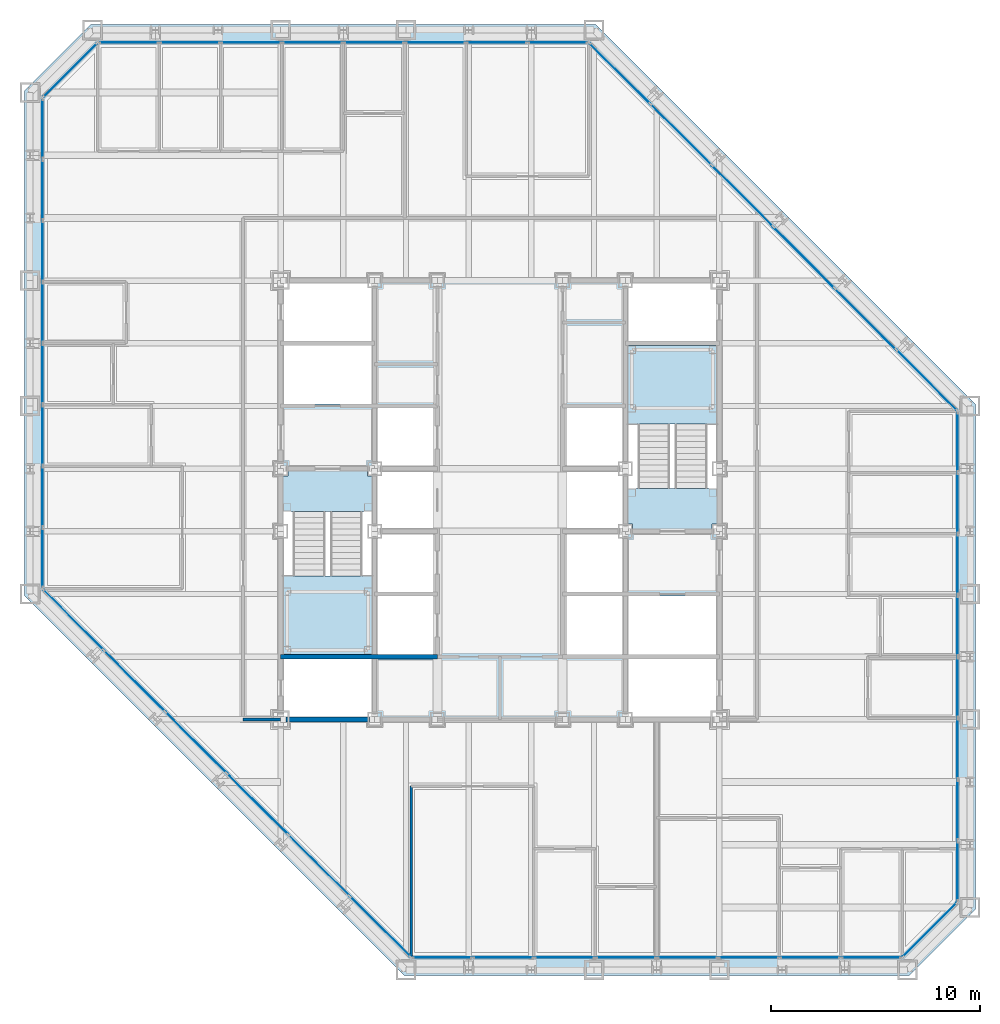
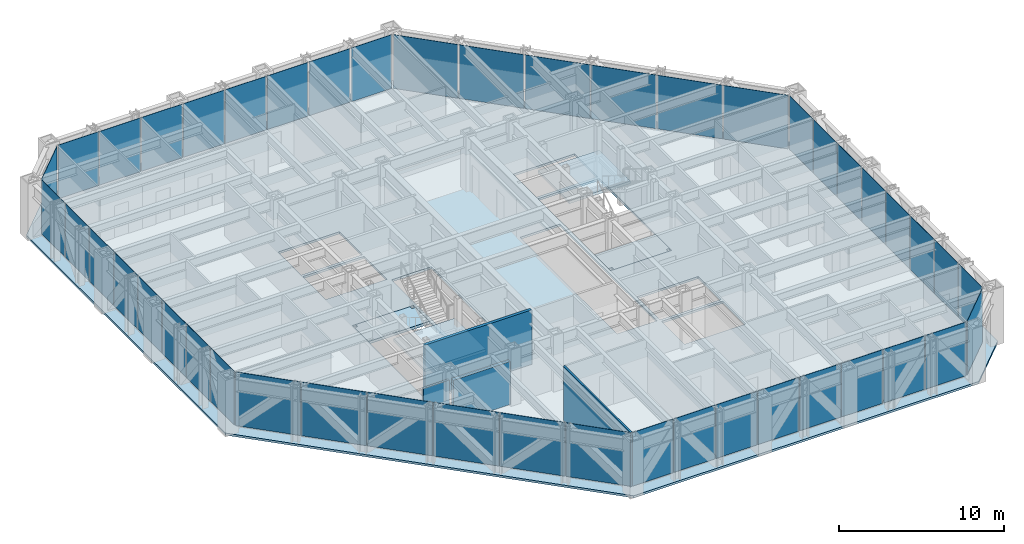
# One storey, part 9 of 16: 46 plates, 5 slabs, 4 walls, 10 elements without a shape of their own.
"""IFC4 building model written with IfcOpenShell, lengths in metres."""

from ifc_helpers import new_model, si_unit, direction, frame, frame_2d, origin, origin_2d, place, context, subcontext, project, spatial, polyline, rectangle, outline, extrude, material, layer, layer_set, type_object, element, aggregate, save


model = new_model("IFC4")

# Units and contexts
model_context = context("Model", 3, precision=1e-05, world=origin(), true_north=direction((0.0, 1.0)))
body_context = subcontext(model_context, "Body", "Model", "MODEL_VIEW")
ifc_project = project(units=[si_unit("LENGTHUNIT", "METRE"), si_unit("AREAUNIT", "SQUARE_METRE"), si_unit("VOLUMEUNIT", "CUBIC_METRE"), si_unit("PLANEANGLEUNIT", "RADIAN"), si_unit("MASSUNIT", "GRAM", prefix="KILO")], contexts=[model_context])

# Site, building, storey
site_placement = place(None, origin())
site = spatial("IfcSite", under=ifc_project, at=site_placement, CompositionType="ELEMENT")
building_placement = place(site_placement, origin())
building = spatial("IfcBuilding", under=site, at=building_placement, Name="Chuquiago Exchange Tower", CompositionType="ELEMENT")
storey_placement = place(building_placement, frame((0.0, 0.0, 123.60009765625)))
storey = spatial("IfcBuildingStorey", under=building, at=storey_placement, Name="L26", CompositionType="ELEMENT", Elevation=123.60009765625)

# Curtain wall, plates
ifc_material_1 = material(Name="Aluminium curtain wall system", Category="aluminium")
ifc_layer_1 = layer(ifc_material_1, 0.22509765625)
ifc_layer_set_1 = layer_set([ifc_layer_1], Name="CW2 office curtain wall")
curtain_wall_type_1 = type_object("IfcCurtainWallType", Name="CW2 office curtain wall", PredefinedType="NOTDEFINED", material=ifc_layer_set_1)
curtain_wall_1_placement = place(storey_placement, origin())
curtain_wall_1 = element("IfcCurtainWall", 1, at=curtain_wall_1_placement, inside=storey, type_object=curtain_wall_type_1, Name="CW2 curtain wall L26", PredefinedType="NOTDEFINED")
ifc_material_2 = material(Name="Glass, insulating unit", Category="glass")
ifc_layer_2 = layer(ifc_material_2, 0.030029296875)
ifc_layer_set_2 = layer_set([ifc_layer_2], Name="CW2-P panel 30")
plate_type_1 = type_object("IfcPlateType", Name="CW2-P panel 30", PredefinedType="CURTAIN_PANEL", material=ifc_layer_set_2)
plate_1_placement = place(storey_placement, frame((25.59326171875, 0.60009765625, 0.06494140625), z_axis=(0.0, 0.0, 1.0), x_axis=(1.0, 0.0, 0.0)))
plate_1 = element("IfcPlate", 2, at=plate_1_placement, type_object=plate_type_1, Name="CW2 panel 3.1", PredefinedType="CURTAIN_PANEL", context=body_context, shape_type="SweptSolid", body=[
    extrude(rectangle(XDim=2.872802734375, YDim=0.030029296875, at=origin_2d()), origin(), (0.0, 0.0, 1.0), 3.97509765625),
])
plate_2_placement = place(storey_placement, frame((34.40673828125, 0.60009765625, 0.06494140625), z_axis=(0.0, 0.0, 1.0), x_axis=(1.0, 0.0, 0.0)))
plate_2 = element("IfcPlate", 3, at=plate_2_placement, type_object=plate_type_1, Name="CW2 panel 6.1", PredefinedType="CURTAIN_PANEL", context=body_context, shape_type="SweptSolid", body=[
    extrude(rectangle(XDim=2.872802734375, YDim=0.030029296875, at=origin_2d()), origin(), (0.0, 0.0, 1.0), 3.97509765625),
])

curtain_wall_2_placement = place(storey_placement, origin())
curtain_wall_2 = element("IfcCurtainWall", 4, at=curtain_wall_2_placement, inside=storey, type_object=curtain_wall_type_1, Name="CW2 curtain wall L26", PredefinedType="NOTDEFINED")
plate_3_placement = place(storey_placement, frame((44.39990234375, 10.59326171875, 0.06494140625), z_axis=(0.0, 0.0, 1.0), x_axis=(0.0, 1.0, 0.0)))
plate_3 = element("IfcPlate", 5, at=plate_3_placement, type_object=plate_type_1, Name="CW2 panel 3.1", PredefinedType="CURTAIN_PANEL", context=body_context, shape_type="SweptSolid", body=[
    extrude(rectangle(XDim=2.872802734375, YDim=0.030029296875, at=origin_2d()), origin(), (0.0, 0.0, 1.0), 3.97509765625),
])
plate_4_placement = place(storey_placement, frame((44.39990234375, 19.40673828125, 0.06494140625), z_axis=(0.0, 0.0, 1.0), x_axis=(0.0, 1.0, 0.0)))
plate_4 = element("IfcPlate", 6, at=plate_4_placement, type_object=plate_type_1, Name="CW2 panel 6.1", PredefinedType="CURTAIN_PANEL", context=body_context, shape_type="SweptSolid", body=[
    extrude(rectangle(XDim=2.872802734375, YDim=0.030029296875, at=origin_2d()), origin(), (0.0, 0.0, 1.0), 3.97509765625),
])

curtain_wall_3_placement = place(storey_placement, origin())
curtain_wall_3 = element("IfcCurtainWall", 7, at=curtain_wall_3_placement, inside=storey, type_object=curtain_wall_type_1, Name="CW2 curtain wall L26", PredefinedType="NOTDEFINED")
plate_5_placement = place(storey_placement, frame((19.40673828125, 44.39990234375, 0.06494140625), z_axis=(0.0, 0.0, 1.0), x_axis=(-1.0, 0.0, 0.0)))
plate_5 = element("IfcPlate", 8, at=plate_5_placement, type_object=plate_type_1, Name="CW2 panel 3.1", PredefinedType="CURTAIN_PANEL", context=body_context, shape_type="SweptSolid", body=[
    extrude(rectangle(XDim=2.872802734375, YDim=0.030029296875, at=origin_2d()), origin(), (0.0, 0.0, 1.0), 3.97509765625),
])
plate_6_placement = place(storey_placement, frame((10.59326171875, 44.39990234375, 0.06494140625), z_axis=(0.0, 0.0, 1.0), x_axis=(-1.0, 0.0, 0.0)))
plate_6 = element("IfcPlate", 9, at=plate_6_placement, type_object=plate_type_1, Name="CW2 panel 6.1", PredefinedType="CURTAIN_PANEL", context=body_context, shape_type="SweptSolid", body=[
    extrude(rectangle(XDim=2.872802734375, YDim=0.030029296875, at=origin_2d()), origin(), (0.0, 0.0, 1.0), 3.97509765625),
])

curtain_wall_4_placement = place(storey_placement, origin())
curtain_wall_4 = element("IfcCurtainWall", 10, at=curtain_wall_4_placement, inside=storey, type_object=curtain_wall_type_1, Name="CW2 curtain wall L26", PredefinedType="NOTDEFINED")
plate_7_placement = place(storey_placement, frame((0.60009765625, 34.40673828125, 0.06494140625), z_axis=(0.0, 0.0, 1.0), x_axis=(0.0, -1.0, 0.0)))
plate_7 = element("IfcPlate", 11, at=plate_7_placement, type_object=plate_type_1, Name="CW2 panel 3.1", PredefinedType="CURTAIN_PANEL", context=body_context, shape_type="SweptSolid", body=[
    extrude(rectangle(XDim=2.872802734375, YDim=0.030029296875, at=origin_2d()), origin(), (0.0, 0.0, 1.0), 3.97509765625),
])
plate_8_placement = place(storey_placement, frame((0.60009765625, 25.59326171875, 0.06494140625), z_axis=(0.0, 0.0, 1.0), x_axis=(0.0, -1.0, 0.0)))
plate_8 = element("IfcPlate", 12, at=plate_8_placement, type_object=plate_type_1, Name="CW2 panel 6.1", PredefinedType="CURTAIN_PANEL", context=body_context, shape_type="SweptSolid", body=[
    extrude(rectangle(XDim=2.872802734375, YDim=0.030029296875, at=origin_2d()), origin(), (0.0, 0.0, 1.0), 3.97509765625),
])

# Plate
ifc_material_3 = material(Name="Insulated spandrel panel, pale anodised aluminium", Category="aluminium")
ifc_layer_3 = layer(ifc_material_3, 0.030029296875)
ifc_layer_set_3 = layer_set([ifc_layer_3], Name="CW2-P spandrel panel 30")
plate_type_2 = type_object("IfcPlateType", Name="CW2-P spandrel panel 30", PredefinedType="CURTAIN_PANEL", material=ifc_layer_set_3)
plate_9_placement = place(storey_placement, frame((19.733642578125, 0.60009765625, 0.06494140625), z_axis=(0.0, 0.0, 1.0), x_axis=(1.0, 0.0, 0.0)))
plate_9 = element("IfcPlate", 13, at=plate_9_placement, type_object=plate_type_2, Name="CW2 panel 1.1", PredefinedType="CURTAIN_PANEL", context=body_context, shape_type="SweptSolid", body=[
    extrude(rectangle(XDim=2.84033203125, YDim=0.030029296875, at=origin_2d()), origin(), (0.0, 0.0, 1.0), 3.97509765625),
])

plate_10_placement = place(storey_placement, frame((22.6552734375, 0.60009765625, 0.06494140625), z_axis=(0.0, 0.0, 1.0), x_axis=(1.0, 0.0, 0.0)))
plate_10 = element("IfcPlate", 14, at=plate_10_placement, type_object=plate_type_2, Name="CW2 panel 2.1", PredefinedType="CURTAIN_PANEL", context=body_context, shape_type="SweptSolid", body=[
    extrude(rectangle(XDim=2.872802734375, YDim=0.030029296875, at=origin_2d()), origin(), (0.0, 0.0, 1.0), 3.97509765625),
])

plate_11_placement = place(storey_placement, frame((28.531005859375, 0.60009765625, 0.06494140625), z_axis=(0.0, 0.0, 1.0), x_axis=(1.0, 0.0, 0.0)))
plate_11 = element("IfcPlate", 15, at=plate_11_placement, type_object=plate_type_2, Name="CW2 panel 4.1", PredefinedType="CURTAIN_PANEL", context=body_context, shape_type="SweptSolid", body=[
    extrude(rectangle(XDim=2.872802734375, YDim=0.030029296875, at=origin_2d()), origin(), (0.0, 0.0, 1.0), 3.97509765625),
])

plate_12_placement = place(storey_placement, frame((31.468994140625, 0.60009765625, 0.06494140625), z_axis=(0.0, 0.0, 1.0), x_axis=(1.0, 0.0, 0.0)))
plate_12 = element("IfcPlate", 16, at=plate_12_placement, type_object=plate_type_2, Name="CW2 panel 5.1", PredefinedType="CURTAIN_PANEL", context=body_context, shape_type="SweptSolid", body=[
    extrude(rectangle(XDim=2.872802734375, YDim=0.030029296875, at=origin_2d()), origin(), (0.0, 0.0, 1.0), 3.97509765625),
])

plate_13_placement = place(storey_placement, frame((37.3447265625, 0.60009765625, 0.06494140625), z_axis=(0.0, 0.0, 1.0), x_axis=(1.0, 0.0, 0.0)))
plate_13 = element("IfcPlate", 17, at=plate_13_placement, type_object=plate_type_2, Name="CW2 panel 7.1", PredefinedType="CURTAIN_PANEL", context=body_context, shape_type="SweptSolid", body=[
    extrude(rectangle(XDim=2.872802734375, YDim=0.030029296875, at=origin_2d()), origin(), (0.0, 0.0, 1.0), 3.97509765625),
])

plate_14_placement = place(storey_placement, frame((40.266357421875, 0.60009765625, 0.06494140625), z_axis=(0.0, 0.0, 1.0), x_axis=(1.0, 0.0, 0.0)))
plate_14 = element("IfcPlate", 18, at=plate_14_placement, type_object=plate_type_2, Name="CW2 panel 8.1", PredefinedType="CURTAIN_PANEL", context=body_context, shape_type="SweptSolid", body=[
    extrude(rectangle(XDim=2.84033203125, YDim=0.030029296875, at=origin_2d()), origin(), (0.0, 0.0, 1.0), 3.97509765625),
])

aggregate(curtain_wall_1, [plate_9, plate_10, plate_1, plate_11, plate_12, plate_2, plate_13, plate_14])

plate_15_placement = place(storey_placement, frame((44.39990234375, 4.733642578125, 0.06494140625), z_axis=(0.0, 0.0, 1.0), x_axis=(0.0, 1.0, 0.0)))
plate_15 = element("IfcPlate", 19, at=plate_15_placement, type_object=plate_type_2, Name="CW2 panel 1.1", PredefinedType="CURTAIN_PANEL", context=body_context, shape_type="SweptSolid", body=[
    extrude(rectangle(XDim=2.84033203125, YDim=0.030029296875, at=origin_2d()), origin(), (0.0, 0.0, 1.0), 3.97509765625),
])

plate_16_placement = place(storey_placement, frame((44.39990234375, 7.6552734375, 0.06494140625), z_axis=(0.0, 0.0, 1.0), x_axis=(0.0, 1.0, 0.0)))
plate_16 = element("IfcPlate", 20, at=plate_16_placement, type_object=plate_type_2, Name="CW2 panel 2.1", PredefinedType="CURTAIN_PANEL", context=body_context, shape_type="SweptSolid", body=[
    extrude(rectangle(XDim=2.872802734375, YDim=0.030029296875, at=origin_2d()), origin(), (0.0, 0.0, 1.0), 3.97509765625),
])

plate_17_placement = place(storey_placement, frame((44.39990234375, 13.531005859375, 0.06494140625), z_axis=(0.0, 0.0, 1.0), x_axis=(0.0, 1.0, 0.0)))
plate_17 = element("IfcPlate", 21, at=plate_17_placement, type_object=plate_type_2, Name="CW2 panel 4.1", PredefinedType="CURTAIN_PANEL", context=body_context, shape_type="SweptSolid", body=[
    extrude(rectangle(XDim=2.872802734375, YDim=0.030029296875, at=origin_2d()), origin(), (0.0, 0.0, 1.0), 3.97509765625),
])

plate_18_placement = place(storey_placement, frame((44.39990234375, 16.468994140625, 0.06494140625), z_axis=(0.0, 0.0, 1.0), x_axis=(0.0, 1.0, 0.0)))
plate_18 = element("IfcPlate", 22, at=plate_18_placement, type_object=plate_type_2, Name="CW2 panel 5.1", PredefinedType="CURTAIN_PANEL", context=body_context, shape_type="SweptSolid", body=[
    extrude(rectangle(XDim=2.872802734375, YDim=0.030029296875, at=origin_2d()), origin(), (0.0, 0.0, 1.0), 3.97509765625),
])

plate_19_placement = place(storey_placement, frame((44.39990234375, 22.3447265625, 0.06494140625), z_axis=(0.0, 0.0, 1.0), x_axis=(0.0, 1.0, 0.0)))
plate_19 = element("IfcPlate", 23, at=plate_19_placement, type_object=plate_type_2, Name="CW2 panel 7.1", PredefinedType="CURTAIN_PANEL", context=body_context, shape_type="SweptSolid", body=[
    extrude(rectangle(XDim=2.872802734375, YDim=0.030029296875, at=origin_2d()), origin(), (0.0, 0.0, 1.0), 3.97509765625),
])

plate_20_placement = place(storey_placement, frame((44.39990234375, 25.266357421875, 0.06494140625), z_axis=(0.0, 0.0, 1.0), x_axis=(0.0, 1.0, 0.0)))
plate_20 = element("IfcPlate", 24, at=plate_20_placement, type_object=plate_type_2, Name="CW2 panel 8.1", PredefinedType="CURTAIN_PANEL", context=body_context, shape_type="SweptSolid", body=[
    extrude(rectangle(XDim=2.84033203125, YDim=0.030029296875, at=origin_2d()), origin(), (0.0, 0.0, 1.0), 3.97509765625),
])

aggregate(curtain_wall_2, [plate_15, plate_16, plate_3, plate_17, plate_18, plate_4, plate_19, plate_20])

plate_21_placement = place(storey_placement, frame((25.266357421875, 44.39990234375, 0.06494140625), z_axis=(0.0, 0.0, 1.0), x_axis=(-1.0, 0.0, 0.0)))
plate_21 = element("IfcPlate", 25, at=plate_21_placement, type_object=plate_type_2, Name="CW2 panel 1.1", PredefinedType="CURTAIN_PANEL", context=body_context, shape_type="SweptSolid", body=[
    extrude(rectangle(XDim=2.84033203125, YDim=0.030029296875, at=origin_2d()), origin(), (0.0, 0.0, 1.0), 3.97509765625),
])

plate_22_placement = place(storey_placement, frame((22.3447265625, 44.39990234375, 0.06494140625), z_axis=(0.0, 0.0, 1.0), x_axis=(-1.0, 0.0, 0.0)))
plate_22 = element("IfcPlate", 26, at=plate_22_placement, type_object=plate_type_2, Name="CW2 panel 2.1", PredefinedType="CURTAIN_PANEL", context=body_context, shape_type="SweptSolid", body=[
    extrude(rectangle(XDim=2.872802734375, YDim=0.030029296875, at=origin_2d()), origin(), (0.0, 0.0, 1.0), 3.97509765625),
])

plate_23_placement = place(storey_placement, frame((16.468994140625, 44.39990234375, 0.06494140625), z_axis=(0.0, 0.0, 1.0), x_axis=(-1.0, 0.0, 0.0)))
plate_23 = element("IfcPlate", 27, at=plate_23_placement, type_object=plate_type_2, Name="CW2 panel 4.1", PredefinedType="CURTAIN_PANEL", context=body_context, shape_type="SweptSolid", body=[
    extrude(rectangle(XDim=2.872802734375, YDim=0.030029296875, at=origin_2d()), origin(), (0.0, 0.0, 1.0), 3.97509765625),
])

plate_24_placement = place(storey_placement, frame((13.531005859375, 44.39990234375, 0.06494140625), z_axis=(0.0, 0.0, 1.0), x_axis=(-1.0, 0.0, 0.0)))
plate_24 = element("IfcPlate", 28, at=plate_24_placement, type_object=plate_type_2, Name="CW2 panel 5.1", PredefinedType="CURTAIN_PANEL", context=body_context, shape_type="SweptSolid", body=[
    extrude(rectangle(XDim=2.872802734375, YDim=0.030029296875, at=origin_2d()), origin(), (0.0, 0.0, 1.0), 3.97509765625),
])

plate_25_placement = place(storey_placement, frame((7.6552734375, 44.39990234375, 0.06494140625), z_axis=(0.0, 0.0, 1.0), x_axis=(-1.0, 0.0, 0.0)))
plate_25 = element("IfcPlate", 29, at=plate_25_placement, type_object=plate_type_2, Name="CW2 panel 7.1", PredefinedType="CURTAIN_PANEL", context=body_context, shape_type="SweptSolid", body=[
    extrude(rectangle(XDim=2.872802734375, YDim=0.030029296875, at=origin_2d()), origin(), (0.0, 0.0, 1.0), 3.97509765625),
])

plate_26_placement = place(storey_placement, frame((4.733642578125, 44.39990234375, 0.06494140625), z_axis=(0.0, 0.0, 1.0), x_axis=(-1.0, 0.0, 0.0)))
plate_26 = element("IfcPlate", 30, at=plate_26_placement, type_object=plate_type_2, Name="CW2 panel 8.1", PredefinedType="CURTAIN_PANEL", context=body_context, shape_type="SweptSolid", body=[
    extrude(rectangle(XDim=2.84033203125, YDim=0.030029296875, at=origin_2d()), origin(), (0.0, 0.0, 1.0), 3.97509765625),
])

aggregate(curtain_wall_3, [plate_21, plate_22, plate_5, plate_23, plate_24, plate_6, plate_25, plate_26])

plate_27_placement = place(storey_placement, frame((0.60009765625, 40.266357421875, 0.06494140625), z_axis=(0.0, 0.0, 1.0), x_axis=(0.0, -1.0, 0.0)))
plate_27 = element("IfcPlate", 31, at=plate_27_placement, type_object=plate_type_2, Name="CW2 panel 1.1", PredefinedType="CURTAIN_PANEL", context=body_context, shape_type="SweptSolid", body=[
    extrude(rectangle(XDim=2.84033203125, YDim=0.030029296875, at=origin_2d()), origin(), (0.0, 0.0, 1.0), 3.97509765625),
])

plate_28_placement = place(storey_placement, frame((0.60009765625, 37.3447265625, 0.06494140625), z_axis=(0.0, 0.0, 1.0), x_axis=(0.0, -1.0, 0.0)))
plate_28 = element("IfcPlate", 32, at=plate_28_placement, type_object=plate_type_2, Name="CW2 panel 2.1", PredefinedType="CURTAIN_PANEL", context=body_context, shape_type="SweptSolid", body=[
    extrude(rectangle(XDim=2.872802734375, YDim=0.030029296875, at=origin_2d()), origin(), (0.0, 0.0, 1.0), 3.97509765625),
])

plate_29_placement = place(storey_placement, frame((0.60009765625, 31.468994140625, 0.06494140625), z_axis=(0.0, 0.0, 1.0), x_axis=(0.0, -1.0, 0.0)))
plate_29 = element("IfcPlate", 33, at=plate_29_placement, type_object=plate_type_2, Name="CW2 panel 4.1", PredefinedType="CURTAIN_PANEL", context=body_context, shape_type="SweptSolid", body=[
    extrude(rectangle(XDim=2.872802734375, YDim=0.030029296875, at=origin_2d()), origin(), (0.0, 0.0, 1.0), 3.97509765625),
])

plate_30_placement = place(storey_placement, frame((0.60009765625, 28.531005859375, 0.06494140625), z_axis=(0.0, 0.0, 1.0), x_axis=(0.0, -1.0, 0.0)))
plate_30 = element("IfcPlate", 34, at=plate_30_placement, type_object=plate_type_2, Name="CW2 panel 5.1", PredefinedType="CURTAIN_PANEL", context=body_context, shape_type="SweptSolid", body=[
    extrude(rectangle(XDim=2.872802734375, YDim=0.030029296875, at=origin_2d()), origin(), (0.0, 0.0, 1.0), 3.97509765625),
])

plate_31_placement = place(storey_placement, frame((0.60009765625, 22.6552734375, 0.06494140625), z_axis=(0.0, 0.0, 1.0), x_axis=(0.0, -1.0, 0.0)))
plate_31 = element("IfcPlate", 35, at=plate_31_placement, type_object=plate_type_2, Name="CW2 panel 7.1", PredefinedType="CURTAIN_PANEL", context=body_context, shape_type="SweptSolid", body=[
    extrude(rectangle(XDim=2.872802734375, YDim=0.030029296875, at=origin_2d()), origin(), (0.0, 0.0, 1.0), 3.97509765625),
])

plate_32_placement = place(storey_placement, frame((0.60009765625, 19.733642578125, 0.06494140625), z_axis=(0.0, 0.0, 1.0), x_axis=(0.0, -1.0, 0.0)))
plate_32 = element("IfcPlate", 36, at=plate_32_placement, type_object=plate_type_2, Name="CW2 panel 8.1", PredefinedType="CURTAIN_PANEL", context=body_context, shape_type="SweptSolid", body=[
    extrude(rectangle(XDim=2.84033203125, YDim=0.030029296875, at=origin_2d()), origin(), (0.0, 0.0, 1.0), 3.97509765625),
])

aggregate(curtain_wall_4, [plate_27, plate_28, plate_7, plate_29, plate_30, plate_8, plate_31, plate_32])

# Curtain wall, plate
ifc_material_4 = material(Name="Aluminium curtain wall system", Category="aluminium")
ifc_layer_4 = layer(ifc_material_4, 0.199951171875)
ifc_layer_set_4 = layer_set([ifc_layer_4], Name="CW3 facet curtain wall")
curtain_wall_type_2 = type_object("IfcCurtainWallType", Name="CW3 facet curtain wall", PredefinedType="NOTDEFINED", material=ifc_layer_set_4)
curtain_wall_5_placement = place(storey_placement, origin())
curtain_wall_5 = element("IfcCurtainWall", 37, at=curtain_wall_5_placement, inside=storey, type_object=curtain_wall_type_2, Name="CW3 curtain wall L26", PredefinedType="NOTDEFINED")
ifc_material_5 = material(Name="Insulated spandrel panel, pale anodised aluminium", Category="aluminium")
ifc_layer_5 = layer(ifc_material_5, 0.030029296875)
ifc_layer_set_5 = layer_set([ifc_layer_5], Name="CW3-P spandrel panel 30")
plate_type_3 = type_object("IfcPlateType", Name="CW3-P spandrel panel 30", PredefinedType="CURTAIN_PANEL", material=ifc_layer_set_5)
plate_33_placement = place(storey_placement, frame((43.07568359375, 1.92431640625, 0.06494140625), z_axis=(0.0, 0.0, 1.0), x_axis=(0.707106781187, 0.707106781187, 0.0)))
plate_33 = element("IfcPlate", 38, at=plate_33_placement, type_object=plate_type_3, Name="CW3 panel 1.1", PredefinedType="CURTAIN_PANEL", context=body_context, shape_type="SweptSolid", body=[
    extrude(rectangle(XDim=3.615478515625, YDim=0.030029296875, at=origin_2d()), origin(), (0.0, 0.0, 1.0), 3.97509765625),
])
aggregate(curtain_wall_5, [plate_33])

# Curtain wall, plates
curtain_wall_6_placement = place(storey_placement, origin())
curtain_wall_6 = element("IfcCurtainWall", 39, at=curtain_wall_6_placement, inside=storey, type_object=curtain_wall_type_2, Name="CW3 curtain wall L26", PredefinedType="NOTDEFINED")
plate_34_placement = place(storey_placement, frame((42.917724609375, 28.233642578125, 0.06494140625), z_axis=(0.0, 0.0, 1.0), x_axis=(-0.707106781187, 0.707106781187, 0.0)))
plate_34 = element("IfcPlate", 40, at=plate_34_placement, type_object=plate_type_3, Name="CW3 panel 1.1", PredefinedType="CURTAIN_PANEL", context=body_context, shape_type="SweptSolid", body=[
    extrude(rectangle(XDim=4.062255859375, YDim=0.030029296875, at=origin_2d()), origin(), (0.0, 0.0, 1.0), 3.97509765625),
])
plate_35_placement = place(storey_placement, frame((39.98779296875, 31.16357421875, 0.06494140625), z_axis=(0.0, 0.0, 1.0), x_axis=(-0.707106781187, 0.707106781187, 0.0)))
plate_35 = element("IfcPlate", 41, at=plate_35_placement, type_object=plate_type_3, Name="CW3 panel 2.1", PredefinedType="CURTAIN_PANEL", context=body_context, shape_type="SweptSolid", body=[
    extrude(rectangle(XDim=4.0947265625, YDim=0.030029296875, at=origin_2d()), origin(), (0.0, 0.0, 1.0), 3.97509765625),
])
plate_36_placement = place(storey_placement, frame((37.04638671875, 34.10498046875, 0.06494140625), z_axis=(0.0, 0.0, 1.0), x_axis=(-0.707106781187, 0.707106781187, 0.0)))
plate_36 = element("IfcPlate", 42, at=plate_36_placement, type_object=plate_type_3, Name="CW3 panel 3.1", PredefinedType="CURTAIN_PANEL", context=body_context, shape_type="SweptSolid", body=[
    extrude(rectangle(XDim=4.0947265625, YDim=0.030029296875, at=origin_2d()), origin(), (0.0, 0.0, 1.0), 3.97509765625),
])
plate_37_placement = place(storey_placement, frame((34.10498046875, 37.04638671875, 0.06494140625), z_axis=(0.0, 0.0, 1.0), x_axis=(-0.707106781187, 0.707106781187, 0.0)))
plate_37 = element("IfcPlate", 43, at=plate_37_placement, type_object=plate_type_3, Name="CW3 panel 4.1", PredefinedType="CURTAIN_PANEL", context=body_context, shape_type="SweptSolid", body=[
    extrude(rectangle(XDim=4.0947265625, YDim=0.030029296875, at=origin_2d()), origin(), (0.0, 0.0, 1.0), 3.97509765625),
])
plate_38_placement = place(storey_placement, frame((31.16357421875, 39.98779296875, 0.06494140625), z_axis=(0.0, 0.0, 1.0), x_axis=(-0.707106781187, 0.707106781187, 0.0)))
plate_38 = element("IfcPlate", 44, at=plate_38_placement, type_object=plate_type_3, Name="CW3 panel 5.1", PredefinedType="CURTAIN_PANEL", context=body_context, shape_type="SweptSolid", body=[
    extrude(rectangle(XDim=4.0947265625, YDim=0.030029296875, at=origin_2d()), origin(), (0.0, 0.0, 1.0), 3.97509765625),
])
plate_39_placement = place(storey_placement, frame((28.233642578125, 42.917724609375, 0.06494140625), z_axis=(0.0, 0.0, 1.0), x_axis=(-0.707106781187, 0.707106781187, 0.0)))
plate_39 = element("IfcPlate", 45, at=plate_39_placement, type_object=plate_type_3, Name="CW3 panel 6.1", PredefinedType="CURTAIN_PANEL", context=body_context, shape_type="SweptSolid", body=[
    extrude(rectangle(XDim=4.062255859375, YDim=0.030029296875, at=origin_2d()), origin(), (0.0, 0.0, 1.0), 3.97509765625),
])
aggregate(curtain_wall_6, [plate_34, plate_35, plate_36, plate_37, plate_38, plate_39])

# Curtain wall, plate
curtain_wall_7_placement = place(storey_placement, origin())
curtain_wall_7 = element("IfcCurtainWall", 46, at=curtain_wall_7_placement, inside=storey, type_object=curtain_wall_type_2, Name="CW3 curtain wall L26", PredefinedType="NOTDEFINED")
plate_40_placement = place(storey_placement, frame((1.92431640625, 43.07568359375, 0.06494140625), z_axis=(0.0, 0.0, 1.0), x_axis=(-0.707106781187, -0.707106781187, 0.0)))
plate_40 = element("IfcPlate", 47, at=plate_40_placement, type_object=plate_type_3, Name="CW3 panel 1.1", PredefinedType="CURTAIN_PANEL", context=body_context, shape_type="SweptSolid", body=[
    extrude(rectangle(XDim=3.615478515625, YDim=0.030029296875, at=origin_2d()), origin(), (0.0, 0.0, 1.0), 3.97509765625),
])
aggregate(curtain_wall_7, [plate_40])

# Curtain wall, plates
curtain_wall_8_placement = place(storey_placement, origin())
curtain_wall_8 = element("IfcCurtainWall", 48, at=curtain_wall_8_placement, inside=storey, type_object=curtain_wall_type_2, Name="CW3 curtain wall L26", PredefinedType="NOTDEFINED")
plate_41_placement = place(storey_placement, frame((2.082275390625, 16.766357421875, 0.06494140625), z_axis=(0.0, 0.0, 1.0), x_axis=(0.707106781187, -0.707106781187, 0.0)))
plate_41 = element("IfcPlate", 49, at=plate_41_placement, type_object=plate_type_3, Name="CW3 panel 1.1", PredefinedType="CURTAIN_PANEL", context=body_context, shape_type="SweptSolid", body=[
    extrude(rectangle(XDim=4.062255859375, YDim=0.030029296875, at=origin_2d()), origin(), (0.0, 0.0, 1.0), 3.97509765625),
])
plate_42_placement = place(storey_placement, frame((5.01220703125, 13.83642578125, 0.06494140625), z_axis=(0.0, 0.0, 1.0), x_axis=(0.707106781187, -0.707106781187, 0.0)))
plate_42 = element("IfcPlate", 50, at=plate_42_placement, type_object=plate_type_3, Name="CW3 panel 2.1", PredefinedType="CURTAIN_PANEL", context=body_context, shape_type="SweptSolid", body=[
    extrude(rectangle(XDim=4.0947265625, YDim=0.030029296875, at=origin_2d()), origin(), (0.0, 0.0, 1.0), 3.97509765625),
])
plate_43_placement = place(storey_placement, frame((7.95361328125, 10.89501953125, 0.06494140625), z_axis=(0.0, 0.0, 1.0), x_axis=(0.707106781187, -0.707106781187, 0.0)))
plate_43 = element("IfcPlate", 51, at=plate_43_placement, type_object=plate_type_3, Name="CW3 panel 3.1", PredefinedType="CURTAIN_PANEL", context=body_context, shape_type="SweptSolid", body=[
    extrude(rectangle(XDim=4.0947265625, YDim=0.030029296875, at=origin_2d()), origin(), (0.0, 0.0, 1.0), 3.97509765625),
])
plate_44_placement = place(storey_placement, frame((10.89501953125, 7.95361328125, 0.06494140625), z_axis=(0.0, 0.0, 1.0), x_axis=(0.707106781187, -0.707106781187, 0.0)))
plate_44 = element("IfcPlate", 52, at=plate_44_placement, type_object=plate_type_3, Name="CW3 panel 4.1", PredefinedType="CURTAIN_PANEL", context=body_context, shape_type="SweptSolid", body=[
    extrude(rectangle(XDim=4.0947265625, YDim=0.030029296875, at=origin_2d()), origin(), (0.0, 0.0, 1.0), 3.97509765625),
])
plate_45_placement = place(storey_placement, frame((13.83642578125, 5.01220703125, 0.06494140625), z_axis=(0.0, 0.0, 1.0), x_axis=(0.707106781187, -0.707106781187, 0.0)))
plate_45 = element("IfcPlate", 53, at=plate_45_placement, type_object=plate_type_3, Name="CW3 panel 5.1", PredefinedType="CURTAIN_PANEL", context=body_context, shape_type="SweptSolid", body=[
    extrude(rectangle(XDim=4.0947265625, YDim=0.030029296875, at=origin_2d()), origin(), (0.0, 0.0, 1.0), 3.97509765625),
])
plate_46_placement = place(storey_placement, frame((16.766357421875, 2.082275390625, 0.06494140625), z_axis=(0.0, 0.0, 1.0), x_axis=(0.707106781187, -0.707106781187, 0.0)))
plate_46 = element("IfcPlate", 54, at=plate_46_placement, type_object=plate_type_3, Name="CW3 panel 6.1", PredefinedType="CURTAIN_PANEL", context=body_context, shape_type="SweptSolid", body=[
    extrude(rectangle(XDim=4.062255859375, YDim=0.030029296875, at=origin_2d()), origin(), (0.0, 0.0, 1.0), 3.97509765625),
])
aggregate(curtain_wall_8, [plate_41, plate_42, plate_43, plate_44, plate_45, plate_46])

# Slab
ifc_material_6 = material(Name="Concrete C30/37", Category="concrete")
ifc_layer_6 = layer(ifc_material_6, 0.159912109375)
ifc_layer_set_6 = layer_set([ifc_layer_6], Name="FS1 composite floor 160")
slab_type_1 = type_object("IfcSlabType", Name="FS1 composite floor 160", PredefinedType="FLOOR", material=ifc_layer_set_6)
slab_1_placement = place(storey_placement, frame((0.0, 0.0, -0.16015625)))
element("IfcSlab", 55, at=slab_1_placement, inside=storey, type_object=slab_type_1, Name="L26 floor slab", PredefinedType="FLOOR", context=body_context, shape_type="SweptSolid", body=[
    extrude(outline(polyline([(17.896484375, -0.25), (-0.25, 17.896484375), (-0.25, 42.103515625), (2.896484375, 45.25), (27.103515625, 45.25), (45.25, 27.103515625), (45.25, 2.896484375), (42.103515625, -0.25), (17.896484375, -0.25)]), holes=[polyline([(16.39990234375, 15.10009765625), (12.10009765625, 15.10009765625), (12.10009765625, 23.89990234375), (16.39990234375, 23.89990234375), (16.39990234375, 15.10009765625)]), polyline([(32.89990234375, 21.10009765625), (28.60009765625, 21.10009765625), (28.60009765625, 29.89990234375), (32.89990234375, 29.89990234375), (32.89990234375, 21.10009765625)]), polyline([(16.39990234375, 12.10009765625), (12.10009765625, 12.10009765625), (12.10009765625, 14.89990234375), (16.39990234375, 14.89990234375), (16.39990234375, 12.10009765625)]), polyline([(16.39990234375, 30.10009765625), (12.10009765625, 30.10009765625), (12.10009765625, 32.89990234375), (16.39990234375, 32.89990234375), (16.39990234375, 30.10009765625)]), polyline([(32.89990234375, 12.10009765625), (28.60009765625, 12.10009765625), (28.60009765625, 14.89990234375), (32.89990234375, 14.89990234375), (32.89990234375, 12.10009765625)]), polyline([(32.89990234375, 30.10009765625), (28.60009765625, 30.10009765625), (28.60009765625, 32.89990234375), (32.89990234375, 32.89990234375), (32.89990234375, 30.10009765625)]), polyline([(16.39990234375, 27.10009765625), (12.10009765625, 27.10009765625), (12.10009765625, 29.89990234375), (16.39990234375, 29.89990234375), (16.39990234375, 27.10009765625)]), polyline([(32.89990234375, 15.10009765625), (28.60009765625, 15.10009765625), (28.60009765625, 17.89990234375), (32.89990234375, 17.89990234375), (32.89990234375, 15.10009765625)]), polyline([(19.39990234375, 15.10009765625), (16.60009765625, 15.10009765625), (16.60009765625, 26.89990234375), (19.39990234375, 26.89990234375), (19.39990234375, 15.10009765625)]), polyline([(28.39990234375, 15.10009765625), (25.60009765625, 15.10009765625), (25.60009765625, 26.89990234375), (28.39990234375, 26.89990234375), (28.39990234375, 15.10009765625)])]), origin(), (0.0, 0.0, 1.0), 0.16015625),
])

# Stair, slabs
ifc_material_7 = material(Name="Concrete C30/37, precast", Category="concrete")
stair_type_1 = type_object("IfcStairType", Name="ST1 half-turn stair 4200", PredefinedType="HALF_TURN_STAIR", material=ifc_material_7)
stair_1_placement = place(storey_placement, origin())
stair_1 = element("IfcStair", 56, at=stair_1_placement, inside=storey, type_object=stair_type_1, Name="Stair ST1 L26", PredefinedType="HALF_TURN_STAIR")
ifc_material_8 = material(Name="Concrete C30/37, precast", Category="concrete")
ifc_layer_7 = layer(ifc_material_8, 0.199951171875)
ifc_layer_set_7 = layer_set([ifc_layer_7], Name="ST-L landing 200")
slab_type_2 = type_object("IfcSlabType", Name="ST-L landing 200", PredefinedType="LANDING", material=ifc_layer_set_7)
slab_2_placement = place(storey_placement, frame((0.0, 0.0, -0.2001953125)))
slab_2 = element("IfcSlab", 57, at=slab_2_placement, type_object=slab_type_2, Name="ST1 landing 1", PredefinedType="LANDING", context=body_context, shape_type="SweptSolid", body=[
    extrude(outline(polyline([(12.35009765625, 23.89990234375), (16.14990234375, 23.89990234375), (16.14990234375, 23.64990234375), (16.39990234375, 23.64990234375), (16.39990234375, 21.949951171875), (12.10009765625, 21.949951171875), (12.10009765625, 23.64990234375), (12.35009765625, 23.64990234375), (12.35009765625, 23.89990234375)])), origin(), (0.0, 0.0, 1.0), 0.2001953125),
])
slab_3_placement = place(storey_placement, frame((0.0, 0.0, 1.89990234375)))
slab_3 = element("IfcSlab", 58, at=slab_3_placement, type_object=slab_type_2, Name="ST1 landing 2", PredefinedType="LANDING", context=body_context, shape_type="SweptSolid", body=[
    extrude(outline(polyline([(12.10009765625, 18.8701171875), (16.39990234375, 18.8701171875), (16.39990234375, 15.10009765625), (12.10009765625, 15.10009765625), (12.10009765625, 18.8701171875)])), origin(), (0.0, 0.0, 1.0), 0.199951171875),
])
aggregate(stair_1, [slab_2, slab_3])

ifc_material_9 = material(Name="Concrete C30/37, precast", Category="concrete")
stair_type_2 = type_object("IfcStairType", Name="ST2 half-turn stair 4200", PredefinedType="HALF_TURN_STAIR", material=ifc_material_9)
stair_2_placement = place(storey_placement, origin())
stair_2 = element("IfcStair", 59, at=stair_2_placement, inside=storey, type_object=stair_type_2, Name="Stair ST2 L26", PredefinedType="HALF_TURN_STAIR")
slab_4_placement = place(storey_placement, frame((0.0, 0.0, -0.2001953125)))
slab_4 = element("IfcSlab", 60, at=slab_4_placement, type_object=slab_type_2, Name="ST2 landing 1", PredefinedType="LANDING", context=body_context, shape_type="SweptSolid", body=[
    extrude(outline(polyline([(32.64990234375, 21.35009765625), (32.64990234375, 21.10009765625), (28.85009765625, 21.10009765625), (28.85009765625, 21.35009765625), (28.60009765625, 21.35009765625), (28.60009765625, 23.050048828125), (32.89990234375, 23.050048828125), (32.89990234375, 21.35009765625), (32.64990234375, 21.35009765625)])), origin(), (0.0, 0.0, 1.0), 0.2001953125),
])
slab_5_placement = place(storey_placement, frame((0.0, 0.0, 1.89990234375)))
slab_5 = element("IfcSlab", 61, at=slab_5_placement, type_object=slab_type_2, Name="ST2 landing 2", PredefinedType="LANDING", context=body_context, shape_type="SweptSolid", body=[
    extrude(outline(polyline([(28.60009765625, 29.89990234375), (32.89990234375, 29.89990234375), (32.89990234375, 26.1298828125), (28.60009765625, 26.1298828125), (28.60009765625, 29.89990234375)])), origin(), (0.0, 0.0, 1.0), 0.199951171875),
])
aggregate(stair_2, [slab_4, slab_5])

# Walls
ifc_material_10 = material(Name="Concrete masonry, fully grouted", Category="masonry")
ifc_layer_8 = layer(ifc_material_10, 0.25)
ifc_layer_set_8 = layer_set([ifc_layer_8], Name="W1 core wall 250")
wall_type_1 = type_object("IfcWallType", Name="W1 core wall 250", PredefinedType="SOLIDWALL", material=ifc_layer_set_8)
wall_1_placement = place(storey_placement, frame((12.25, 12.0, 0.0), z_axis=(0.0, 0.0, 1.0), x_axis=(1.0, 0.0, 0.0)))
element("IfcWall", 62, at=wall_1_placement, inside=storey, type_object=wall_type_1, Name="CW-L26-01-0", PredefinedType="SOLIDWALL", context=body_context, shape_type="SweptSolid", body=[
    extrude(rectangle(XDim=4.0, YDim=0.25, at=frame_2d((2.0, 0.0))), origin(), (0.0, 0.0, 1.0), 3.181396484375),
])
ifc_material_11 = material(Name="Gypsum board on steel studs, acoustic insulation", Category="steel")
ifc_layer_9 = layer(ifc_material_11, 0.14990234375)
ifc_layer_set_9 = layer_set([ifc_layer_9], Name="W11 corridor wall 150")
wall_type_2 = type_object("IfcWallType", Name="W11 corridor wall 150", PredefinedType="PARTITIONING", material=ifc_layer_set_9)
wall_2_placement = place(storey_placement, frame((10.199951171875, 12.0, 0.0), z_axis=(0.0, 0.0, 1.0), x_axis=(1.0, 0.0, 0.0)))
element("IfcWall", 63, at=wall_2_placement, inside=storey, type_object=wall_type_2, Name="PW-L26-CWS", PredefinedType="PARTITIONING", context=body_context, shape_type="SweptSolid", body=[
    extrude(rectangle(XDim=1.800048828125, YDim=0.14990234375, at=frame_2d((0.89990234375, 0.0))), origin(), (0.0, 0.0, 1.0), 3.270263671875),
])
ifc_material_12 = material(Name="Concrete masonry, fully grouted", Category="masonry")
ifc_layer_10 = layer(ifc_material_12, 0.199951171875)
ifc_layer_set_10 = layer_set([ifc_layer_10], Name="W2 shaft wall 200")
wall_type_3 = type_object("IfcWallType", Name="W2 shaft wall 200", PredefinedType="SOLIDWALL", material=ifc_layer_set_10)
wall_3_placement = place(storey_placement, frame((12.0, 15.0, 0.0), z_axis=(0.0, 0.0, 1.0), x_axis=(1.0, 0.0, 0.0)))
element("IfcWall", 64, at=wall_3_placement, inside=storey, type_object=wall_type_3, Name="CW-L26-03-0", PredefinedType="SOLIDWALL", context=body_context, shape_type="SweptSolid", body=[
    extrude(rectangle(XDim=7.5, YDim=0.199951171875, at=frame_2d((3.75, 0.0))), origin(), (0.0, 0.0, 1.0), 4.039794921875),
])
ifc_material_13 = material(Name="Gypsum board on steel studs", Category="steel")
ifc_layer_11 = layer(ifc_material_13, 0.1201171875)
ifc_layer_set_11 = layer_set([ifc_layer_11], Name="W4 partition 120")
wall_type_4 = type_object("IfcWallType", Name="W4 partition 120", PredefinedType="PARTITIONING", material=ifc_layer_set_11)
wall_4_placement = place(storey_placement, frame((18.24853515625, 0.666015625, 0.0), z_axis=(0.0, 0.0, 1.0), x_axis=(0.0, 1.0, 0.0)))
element("IfcWall", 65, at=wall_4_placement, inside=storey, type_object=wall_type_4, Name="PW-L26-S01825", PredefinedType="PARTITIONING", context=body_context, shape_type="SweptSolid", body=[
    extrude(rectangle(XDim=8.134033203125, YDim=0.1201171875, at=frame_2d((4.06689453125, 0.0))), origin(), (0.0, 0.0, 1.0), 4.039794921875),
])

save(model, "model.ifc")
